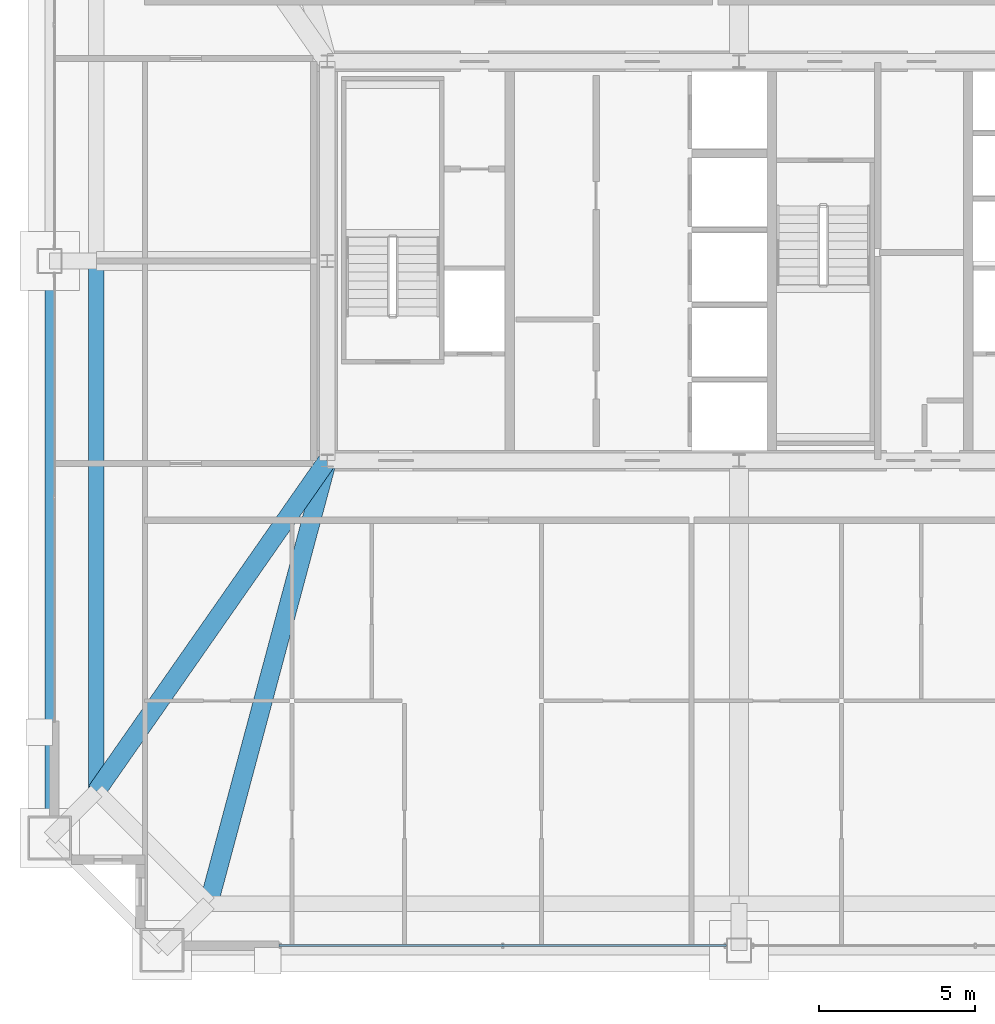
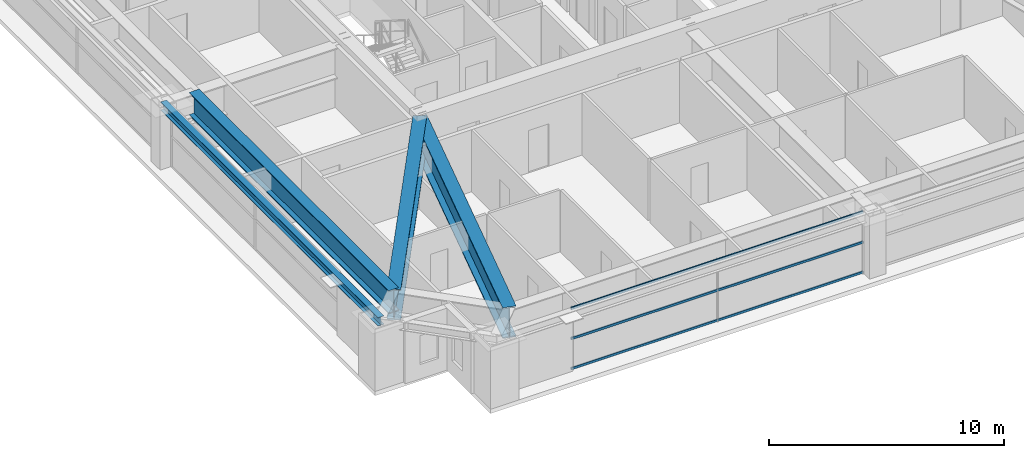
# One storey, part 7 of 39: 4 beams, 3 members, 1 element without a shape of its own.
"""IFC4 building model written with IfcOpenShell, lengths in metres."""

from ifc_helpers import new_model, si_unit, direction, frame, origin, origin_2d, place, context, subcontext, project, spatial, hollow_rectangle, i_section, extrude, source, transform, mapped, material, layer, layer_set, material_profile, profile_set, type_object, element, aggregate, save


model = new_model("IFC4")

# Units and contexts
model_context = context("Model", 3, precision=1e-05, world=origin(), true_north=direction((0.0, 1.0)))
body_context = subcontext(model_context, "Body", "Model", "MODEL_VIEW")
ifc_project = project(units=[si_unit("LENGTHUNIT", "METRE"), si_unit("AREAUNIT", "SQUARE_METRE"), si_unit("VOLUMEUNIT", "CUBIC_METRE"), si_unit("PLANEANGLEUNIT", "RADIAN"), si_unit("MASSUNIT", "GRAM", prefix="KILO"), si_unit("THERMODYNAMICTEMPERATUREUNIT", "KELVIN"), si_unit("POWERUNIT", "WATT")], contexts=[model_context])

# Site, building, storey
site_placement = place(None, origin())
site = spatial("IfcSite", under=ifc_project, at=site_placement, CompositionType="ELEMENT")
building_placement = place(site_placement, origin())
building = spatial("IfcBuilding", under=site, at=building_placement, Name="Yuzanri Waterfront Tower", CompositionType="ELEMENT")
storey_placement = place(building_placement, frame((0.0, 0.0, 216.0)))
storey = spatial("IfcBuildingStorey", under=building, at=storey_placement, Name="L57", CompositionType="ELEMENT", Elevation=216.0)

# Beams
ifc_material_1 = material(Name="Steel Q355B", Category="steel")
ifc_material_profile_1 = material_profile(ifc_material_1, i_section(OverallWidth=0.300048828125, OverallDepth=0.43994140625, WebThickness=0.010986328125, FlangeThickness=0.01806640625, at=origin_2d()), Name="HM 440x300x11x18")
ifc_profile_set_1 = profile_set([ifc_material_profile_1], Name="Steel Q355B")
beam_type_1 = type_object("IfcBeamType", Name="Perimeter Spandrel Q355B HM 440x300", PredefinedType="SPANDREL", material=ifc_profile_set_1)
shared_shape_1 = source(origin(), body_context, "Body", "SweptSolid", [
    extrude(i_section(OverallWidth=0.300048828125, OverallDepth=0.43994140625, WebThickness=0.010986328125, FlangeThickness=0.01806640625, at=origin_2d()), origin(), (0.0, 0.0, 1.0), 18.5),
])
beam_1_placement = place(storey_placement, frame((14.89990234375, 25.800048828125, 3.0), z_axis=(0.0, -1.0, 0.0), x_axis=(1.0, 0.0, 0.0)))
element("IfcBeam", 1, at=beam_1_placement, inside=storey, type_object=beam_type_1, Name="L57 Perimeter Spandrel W2-W1", PredefinedType="SPANDREL", context=body_context, shape_type="MappedRepresentation", body=[
    mapped(shared_shape_1, transform((0.0, 0.0, 0.0), scale=1.0)),
])
ifc_material_2 = material(Name="Steel Q420GJC", Category="steel")
ifc_material_profile_2 = material_profile(ifc_material_2, i_section(OverallWidth=0.60009765625, OverallDepth=1.60009765625, WebThickness=0.031982421875, FlangeThickness=0.06005859375, at=origin_2d()), Name="PG 1600x600x32x60")
ifc_profile_set_2 = profile_set([ifc_material_profile_2], Name="Steel Q420GJC")
beam_type_2 = type_object("IfcBeamType", Name="Ballroom Transfer Girder Q420GJC PG 1600x600", PredefinedType="USERDEFINED", material=ifc_profile_set_2)
shared_shape_2 = source(origin(), body_context, "Body", "SweptSolid", [
    extrude(i_section(OverallWidth=0.60009765625, OverallDepth=1.60009765625, WebThickness=0.031982421875, FlangeThickness=0.06005859375, at=origin_2d()), origin(), (0.0, 0.0, 1.0), 14.69970703125),
])
beam_2_placement = place(storey_placement, frame((23.800048828125, 19.39990234375, 2.419921875), z_axis=(-0.258513312202, -0.966007695318, 0.0), x_axis=(0.966007695318, -0.258513312202, 0.0)))
element("IfcBeam", 2, at=beam_2_placement, inside=storey, type_object=beam_type_2, Name="L57 Setback Inner Transfer S1", ObjectType="GIRDER", PredefinedType="USERDEFINED", context=body_context, shape_type="MappedRepresentation", body=[
    mapped(shared_shape_2, transform((0.0, 0.0, 0.0), scale=1.0)),
])
shared_shape_3 = source(origin(), body_context, "Body", "SweptSolid", [
    extrude(i_section(OverallWidth=0.60009765625, OverallDepth=1.60009765625, WebThickness=0.031982421875, FlangeThickness=0.06005859375, at=origin_2d()), origin(), (0.0, 0.0, 1.0), 12.927490234375),
])
beam_3_placement = place(storey_placement, frame((23.800048828125, 19.39990234375, 2.419921875), z_axis=(-0.572436504615, -0.819949052188, 0.0), x_axis=(0.819949052188, -0.572436504615, 0.0)))
element("IfcBeam", 3, at=beam_3_placement, inside=storey, type_object=beam_type_2, Name="L57 Setback Inner Transfer W1", ObjectType="GIRDER", PredefinedType="USERDEFINED", context=body_context, shape_type="MappedRepresentation", body=[
    mapped(shared_shape_3, transform((0.0, 0.0, 0.0), scale=1.0)),
])
ifc_material_3 = material(Name="Steel Q420GJC", Category="steel")
ifc_material_profile_3 = material_profile(ifc_material_3, i_section(OverallWidth=0.5, OverallDepth=1.199951171875, WebThickness=0.028076171875, FlangeThickness=0.050048828125, at=origin_2d()), Name="PG 1200x500x28x50")
ifc_profile_set_3 = profile_set([ifc_material_profile_3], Name="Steel Q420GJC")
beam_type_3 = type_object("IfcBeamType", Name="Setback Transfer Girder Q420GJC PG 1200x500", PredefinedType="USERDEFINED", material=ifc_profile_set_3)
shared_shape_4 = source(origin(), body_context, "Body", "SweptSolid", [
    extrude(i_section(OverallWidth=0.5, OverallDepth=1.199951171875, WebThickness=0.028076171875, FlangeThickness=0.050048828125, at=origin_2d()), origin(), (0.0, 0.0, 1.0), 17.0),
])
beam_4_placement = place(storey_placement, frame((16.39990234375, 25.800048828125, 2.6201171875), z_axis=(0.0, -1.0, 0.0), x_axis=(1.0, 0.0, 0.0)))
element("IfcBeam", 4, at=beam_4_placement, inside=storey, type_object=beam_type_3, Name="L57 Setback Upper Ring W2-W1", ObjectType="GIRDER", PredefinedType="USERDEFINED", context=body_context, shape_type="MappedRepresentation", body=[
    mapped(shared_shape_4, transform((0.0, 0.0, 0.0), scale=1.0)),
])

# Curtain wall, members
ifc_material_4 = material(Name="Anodized Architectural Bronze", Category="metal")
ifc_layer = layer(ifc_material_4, 0.159912109375)
ifc_layer_set = layer_set([ifc_layer], Name="Anodized Architectural Bronze")
curtain_wall_type = type_object("IfcCurtainWallType", Name="Anodized Bronze Mid-Rise Residential Acoustic Unitized Curtain Wall 7200", PredefinedType="NOTDEFINED", material=ifc_layer_set)
curtain_wall_placement = place(storey_placement, origin())
curtain_wall = element("IfcCurtainWall", 5, at=curtain_wall_placement, inside=storey, type_object=curtain_wall_type, Name="L57 Curtain Wall CW-L57-SL", PredefinedType="NOTDEFINED")
ifc_material_5 = material(Name="Anodized Architectural Bronze", Category="metal")
ifc_material_profile_4 = material_profile(ifc_material_5, hollow_rectangle(XDim=0.06494140625, YDim=0.1201171875, WallThickness=0.00341796875, at=origin_2d()), Name="CWT 65x120")
ifc_profile_set_4 = profile_set([ifc_material_profile_4], Name="Anodized Architectural Bronze")
member_type = type_object("IfcMemberType", Name="Anodized Bronze Secondary Curtain-Wall Transom 65x120", PredefinedType="USERDEFINED", material=ifc_profile_set_4)
shared_shape_5 = source(origin(), body_context, "Body", "SweptSolid", [
    extrude(hollow_rectangle(XDim=0.06494140625, YDim=0.1201171875, WallThickness=0.00341796875, at=origin_2d()), origin(), (0.0, 0.0, 1.0), 14.35009765625),
])
member_1_placement = place(storey_placement, frame((22.25, 3.85009765625, 0.050048828125), z_axis=(1.0, 0.0, 0.0), x_axis=(0.0, 1.0, 0.0)))
member_1 = element("IfcMember", 6, at=member_1_placement, type_object=member_type, Name="CW-L57-SL Transom 1", ObjectType="TRANSOM", PredefinedType="USERDEFINED", context=body_context, shape_type="MappedRepresentation", body=[
    mapped(shared_shape_5, transform((0.0, 0.0, 0.0), scale=1.0)),
])
member_2_placement = place(storey_placement, frame((22.25, 3.85009765625, 1.610107421875), z_axis=(1.0, 0.0, 0.0), x_axis=(0.0, 1.0, 0.0)))
member_2 = element("IfcMember", 7, at=member_2_placement, type_object=member_type, Name="CW-L57-SL Transom 2", ObjectType="TRANSOM", PredefinedType="USERDEFINED", context=body_context, shape_type="MappedRepresentation", body=[
    mapped(shared_shape_5, transform((0.0, 0.0, 0.0), scale=1.0)),
])
member_3_placement = place(storey_placement, frame((22.25, 3.85009765625, 3.169921875), z_axis=(1.0, 0.0, 0.0), x_axis=(0.0, 1.0, 0.0)))
member_3 = element("IfcMember", 8, at=member_3_placement, type_object=member_type, Name="CW-L57-SL Transom 3", ObjectType="TRANSOM", PredefinedType="USERDEFINED", context=body_context, shape_type="MappedRepresentation", body=[
    mapped(shared_shape_5, transform((0.0, 0.0, 0.0), scale=1.0)),
])
aggregate(curtain_wall, [member_1, member_2, member_3])

save(model, "model.ifc")
